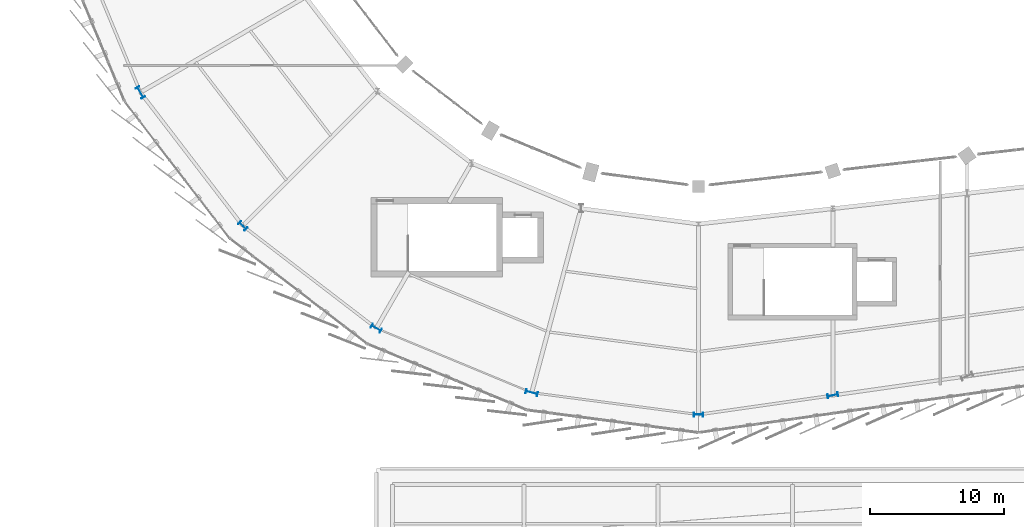
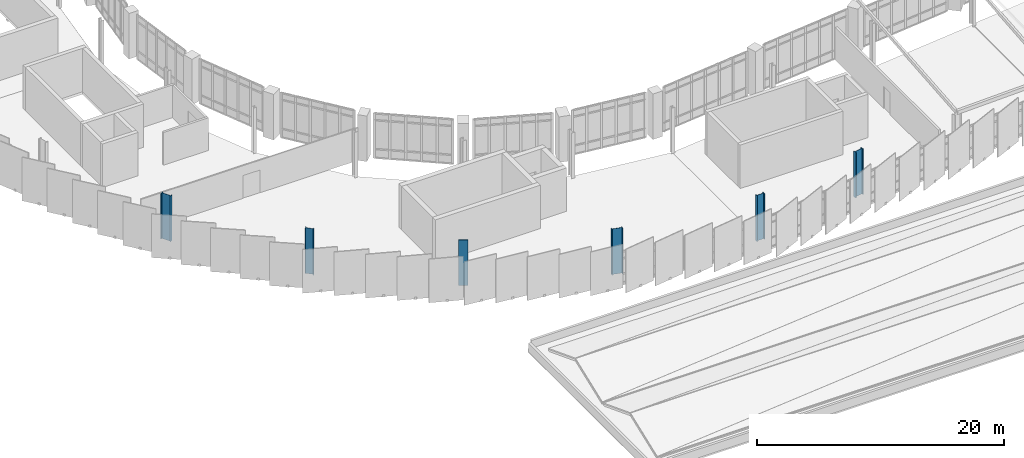
# One storey, part 1 of 67: 6 columns.
"""IFC4 building model written with IfcOpenShell, lengths in metres."""

from ifc_helpers import new_model, si_unit, direction, frame, origin, origin_2d, place, context, subcontext, project, spatial, i_section, extrude, material, material_profile, profile_set, type_object, element, save


model = new_model("IFC4")

# Units and contexts
model_context = context("Model", 3, precision=1e-05, world=origin(), true_north=direction((0.0, 1.0)))
body_context = subcontext(model_context, "Body", "Model", "MODEL_VIEW")
ifc_project = project(units=[si_unit("LENGTHUNIT", "METRE"), si_unit("AREAUNIT", "SQUARE_METRE"), si_unit("VOLUMEUNIT", "CUBIC_METRE"), si_unit("PLANEANGLEUNIT", "RADIAN"), si_unit("MASSUNIT", "GRAM", prefix="KILO")], contexts=[model_context])

# Site, building, storey
site_placement = place(None, origin())
site = spatial("IfcSite", under=ifc_project, at=site_placement, CompositionType="ELEMENT")
building_placement = place(site_placement, origin())
building = spatial("IfcBuilding", under=site, at=building_placement, Name="Sohan Crest Arena", CompositionType="ELEMENT")
storey_placement = place(building_placement, frame((0.0, 0.0, 22.5)))
storey = spatial("IfcBuildingStorey", under=building, at=storey_placement, Name="L05", CompositionType="ELEMENT", Elevation=22.5)

# Columns
ifc_material = material(Name="Steel S355", Category="steel")
ifc_material_profile_1 = material_profile(ifc_material, i_section(OverallWidth=0.300048828125, OverallDepth=0.699951171875, WebThickness=0.01708984375, FlangeThickness=0.031982421875, at=origin_2d()), Name="HEB 700")
ifc_profile_set_1 = profile_set([ifc_material_profile_1], Name="Steel S355")
column_type_1 = type_object("IfcColumnType", Name="STR-COL-C21", PredefinedType="COLUMN", material=ifc_profile_set_1)
for number, where, z_axis, x_axis, name in (
    (1, (64.05908203125, 44.05908203125, 0.0), (0.0, 0.0, 1.0), (0.707106781187, 0.707106781187, 0.0), "Structural column COL-V2O-10-L05"),
    (2, (98.0, 30.0, 0.0), (0.0, 0.0, 1.0), (0.0, 1.0, 0.0), "Structural column COL-V2O-13-L05"),
):
    element("IfcColumn", number, at=place(storey_placement, frame(where, z_axis=z_axis, x_axis=x_axis)), inside=storey, type_object=column_type_1, Name=name, PredefinedType="COLUMN", context=body_context, shape_type="SweptSolid", body=[
        extrude(i_section(OverallWidth=0.300048828125, OverallDepth=0.699951171875, WebThickness=0.01708984375, FlangeThickness=0.031982421875, at=origin_2d()), origin(), (0.0, 0.0, 1.0), 4.5),
    ])
ifc_material_profile_2 = material_profile(ifc_material, i_section(OverallWidth=0.300048828125, OverallDepth=0.800048828125, WebThickness=0.017578125, FlangeThickness=0.032958984375, at=origin_2d()), Name="HEB 800")
ifc_profile_set_2 = profile_set([ifc_material_profile_2], Name="Steel S355")
column_type_2 = type_object("IfcColumnType", Name="STR-COL-C22", PredefinedType="COLUMN", material=ifc_profile_set_2)
for number, where, z_axis, x_axis, name in (
    (3, (74.0, 36.430908203125, 0.0), (0.0, 0.0, 1.0), (0.5, 0.866025403784, 0.0), "Structural column COL-V2O-11-L05"),
    (4, (108.0, 31.428955078125, 0.0), (0.0, 0.0, 1.0), (-0.209618562904, 0.977783236759, 0.0), "Structural column COL-V2O-14-L05"),
):
    element("IfcColumn", number, at=place(storey_placement, frame(where, z_axis=z_axis, x_axis=x_axis)), inside=storey, type_object=column_type_2, Name=name, PredefinedType="COLUMN", context=body_context, shape_type="SweptSolid", body=[
        extrude(i_section(OverallWidth=0.300048828125, OverallDepth=0.800048828125, WebThickness=0.017578125, FlangeThickness=0.032958984375, at=origin_2d()), origin(), (0.0, 0.0, 1.0), 4.5),
    ])
ifc_material_profile_3 = material_profile(ifc_material, i_section(OverallWidth=0.300048828125, OverallDepth=0.89990234375, WebThickness=0.0185546875, FlangeThickness=0.034912109375, at=origin_2d()), Name="HEB 900")
ifc_profile_set_3 = profile_set([ifc_material_profile_3], Name="Steel S355")
column_type_3 = type_object("IfcColumnType", Name="STR-COL-C23", PredefinedType="COLUMN", material=ifc_profile_set_3)
for number, where, z_axis, x_axis, name in (
    (5, (56.430908203125, 54.0, 0.0), (0.0, 0.0, 1.0), (0.866025403784, 0.5, 0.0), "Structural column COL-V2O-09-L05"),
    (6, (85.576904296875, 31.635986328125, 0.0), (0.0, 0.0, 1.0), (0.258819045103, 0.965925826289, 0.0), "Structural column COL-V2O-12-L05"),
):
    element("IfcColumn", number, at=place(storey_placement, frame(where, z_axis=z_axis, x_axis=x_axis)), inside=storey, type_object=column_type_3, Name=name, PredefinedType="COLUMN", context=body_context, shape_type="SweptSolid", body=[
        extrude(i_section(OverallWidth=0.300048828125, OverallDepth=0.89990234375, WebThickness=0.0185546875, FlangeThickness=0.034912109375, at=origin_2d()), origin(), (0.0, 0.0, 1.0), 4.5),
    ])

save(model, "model.ifc")
